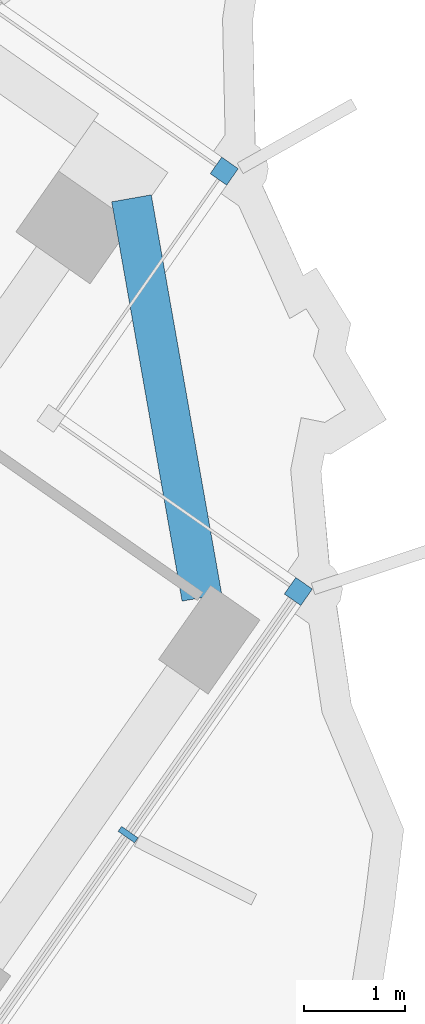
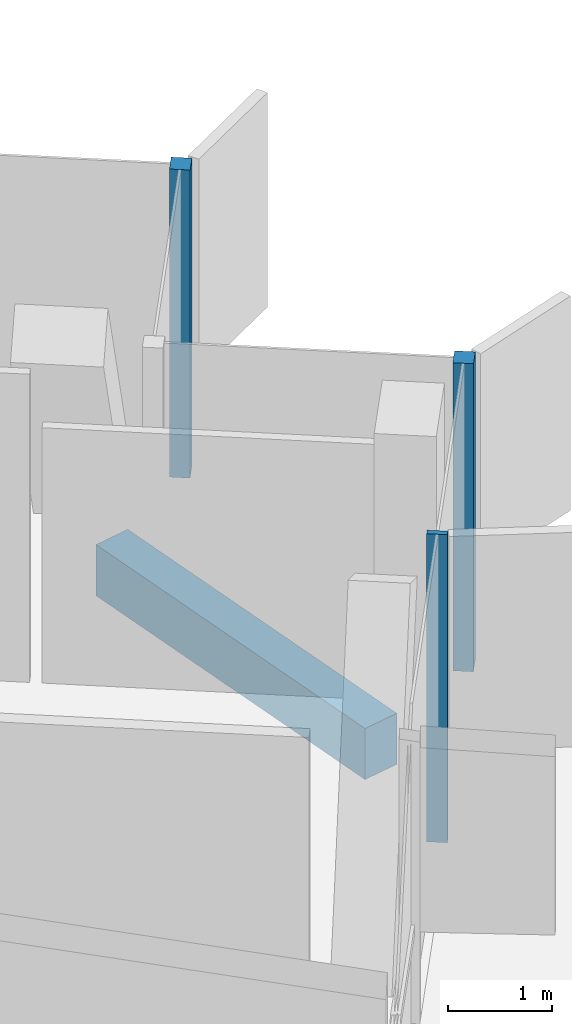
# One storey, part 8 of 20: 3 members, 1 beam, 1 element without a shape of its own.
"""IFC4 building model written with IfcOpenShell, lengths in metres."""

from ifc_helpers import new_model, si_unit, direction, frame, origin, origin_2d, place, context, subcontext, project, spatial, rectangle, extrude, material, material_profile, profile_set, type_object, element, aggregate, save


model = new_model("IFC4")

# Units and contexts
model_context = context("Model", 3, precision=1e-05, world=origin(), true_north=direction((0.0, 1.0)))
body_context = subcontext(model_context, "Body", "Model", "MODEL_VIEW")
ifc_project = project(units=[si_unit("LENGTHUNIT", "METRE"), si_unit("AREAUNIT", "SQUARE_METRE"), si_unit("VOLUMEUNIT", "CUBIC_METRE"), si_unit("PLANEANGLEUNIT", "RADIAN"), si_unit("MASSUNIT", "GRAM", prefix="KILO")], contexts=[model_context])

# Site, building, storey
site_placement = place(None, origin())
site = spatial("IfcSite", under=ifc_project, at=site_placement, CompositionType="ELEMENT")
building_placement = place(site_placement, origin())
building = spatial("IfcBuilding", under=site, at=building_placement, Name="Tel Ilan Convention Tower", CompositionType="ELEMENT")
storey_placement = place(building_placement, frame((0.0, 0.0, 244.89990234375)))
storey = spatial("IfcBuildingStorey", under=building, at=storey_placement, Name="L57", CompositionType="ELEMENT", Elevation=244.89990234375)

# Beam
ifc_material_1 = material(Name="Concrete C40/50", Category="concrete")
ifc_material_profile_1 = material_profile(ifc_material_1, rectangle(XDim=0.39990234375, YDim=0.60009765625, at=origin_2d()), Name="RC 400x600")
ifc_profile_set_1 = profile_set([ifc_material_profile_1], Name="Concrete C40/50")
beam_type = type_object("IfcBeamType", Name="Beam RC 400x600 Concrete C40/50", PredefinedType="BEAM", material=ifc_profile_set_1)
beam_placement = place(storey_placement, frame((31.742919921875, -17.343505859375, -0.579833984375), z_axis=(-0.173664388751, 0.984804894423, 0.0), x_axis=(-0.984804894423, -0.173664388751, 0.0)))
element("IfcBeam", 1, at=beam_placement, inside=storey, type_object=beam_type, Name="L57 beam E-E-E3-E-BC", PredefinedType="BEAM", context=body_context, shape_type="SweptSolid", body=[
    extrude(rectangle(XDim=0.39990234375, YDim=0.60009765625, at=origin_2d()), origin(), (0.0, 0.0, 1.0), 4.030517578125),
])

# Curtain wall, members
ifc_material_2 = material(Name="Aluminium, bronze anodised", Category="aluminium")
curtain_wall_type = type_object("IfcCurtainWallType", Name="CW5 STICK CURTAIN WALL, UPPER OFFICE LOW-IRON TINTED GLASS", PredefinedType="NOTDEFINED", material=ifc_material_2)
curtain_wall_placement = place(storey_placement, origin())
curtain_wall = element("IfcCurtainWall", 2, at=curtain_wall_placement, inside=storey, type_object=curtain_wall_type, Name="Curtain wall CW5-44.02", PredefinedType="NOTDEFINED")
ifc_material_3 = material(Name="Aluminium, bronze anodised", Category="aluminium")
ifc_material_profile_2 = material_profile(ifc_material_3, rectangle(XDim=0.199951171875, YDim=0.199951171875, at=origin_2d()), Name="CW CORNER MULLION 200x200")
ifc_profile_set_2 = profile_set([ifc_material_profile_2], Name="Aluminium, bronze anodised")
member_type_1 = type_object("IfcMemberType", Name="CW CORNER MULLION 200x200", PredefinedType="MULLION", material=ifc_profile_set_2)
member_1_placement = place(storey_placement, frame((32.701416015625, -17.2822265625, 0.0), z_axis=(0.0, 0.0, 1.0), x_axis=(0.573576436351, 0.819152044289, 0.0)))
member_1 = element("IfcMember", 3, at=member_1_placement, type_object=member_type_1, Name="Corner mullion", PredefinedType="MULLION", context=body_context, shape_type="SweptSolid", body=[
    extrude(rectangle(XDim=0.199951171875, YDim=0.199951171875, at=origin_2d()), origin(), (0.0, 0.0, 1.0), 3.6201171875),
])
member_2_placement = place(storey_placement, frame((31.964599609375, -13.10400390625, 0.0), z_axis=(0.0, 0.0, 1.0), x_axis=(0.573576436351, 0.819152044289, 0.0)))
member_2 = element("IfcMember", 4, at=member_2_placement, type_object=member_type_1, Name="Corner mullion", PredefinedType="MULLION", context=body_context, shape_type="SweptSolid", body=[
    extrude(rectangle(XDim=0.199951171875, YDim=0.199951171875, at=origin_2d()), origin(), (0.0, 0.0, 1.0), 3.6201171875),
])
ifc_material_4 = material(Name="Aluminium, bronze anodised", Category="aluminium")
ifc_material_profile_3 = material_profile(ifc_material_4, rectangle(XDim=0.06005859375, YDim=0.199951171875, at=origin_2d()), Name="CW MULLION 60x200")
ifc_profile_set_3 = profile_set([ifc_material_profile_3], Name="Aluminium, bronze anodised")
member_type_2 = type_object("IfcMemberType", Name="CW MULLION 60x200", PredefinedType="MULLION", material=ifc_profile_set_3)
member_3_placement = place(storey_placement, frame((31.00927734375, -19.69873046875, 0.0), z_axis=(0.0, 0.0, 1.0), x_axis=(0.573576436351, 0.819152044289, 0.0)))
member_3 = element("IfcMember", 5, at=member_3_placement, type_object=member_type_2, Name="Mullion", PredefinedType="MULLION", context=body_context, shape_type="SweptSolid", body=[
    extrude(rectangle(XDim=0.06005859375, YDim=0.199951171875, at=origin_2d()), origin(), (0.0, 0.0, 1.0), 3.6201171875),
])
aggregate(curtain_wall, [member_3, member_1, member_2])

save(model, "model.ifc")
